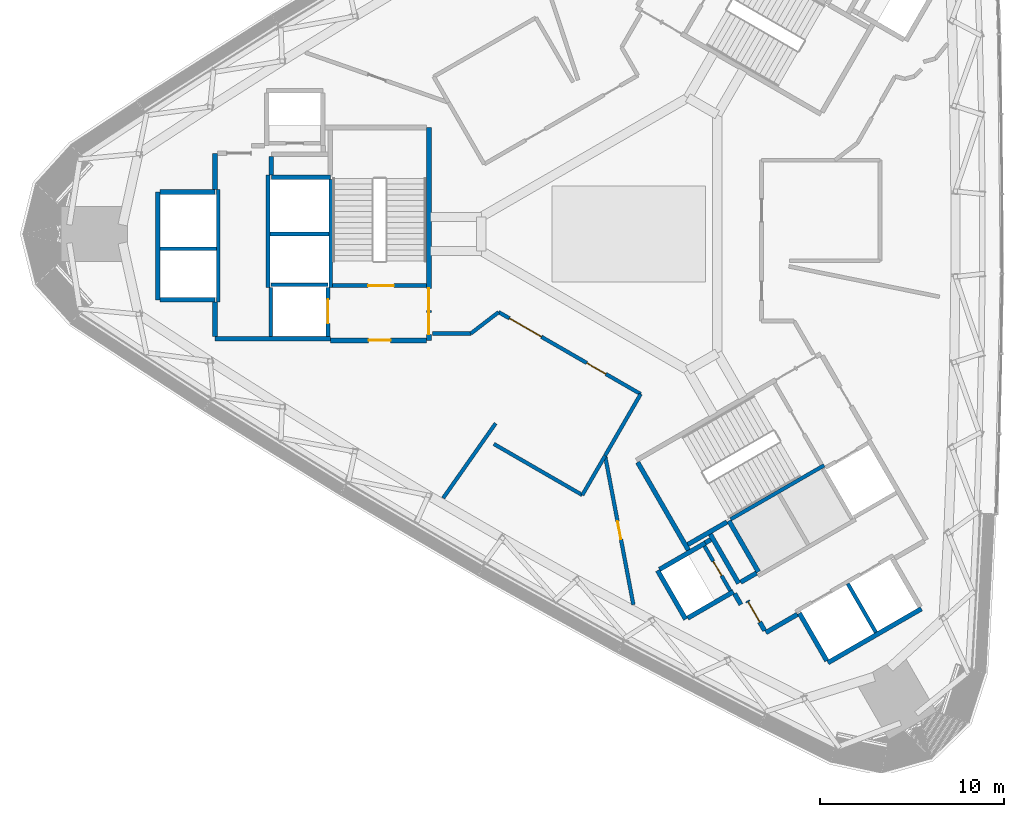
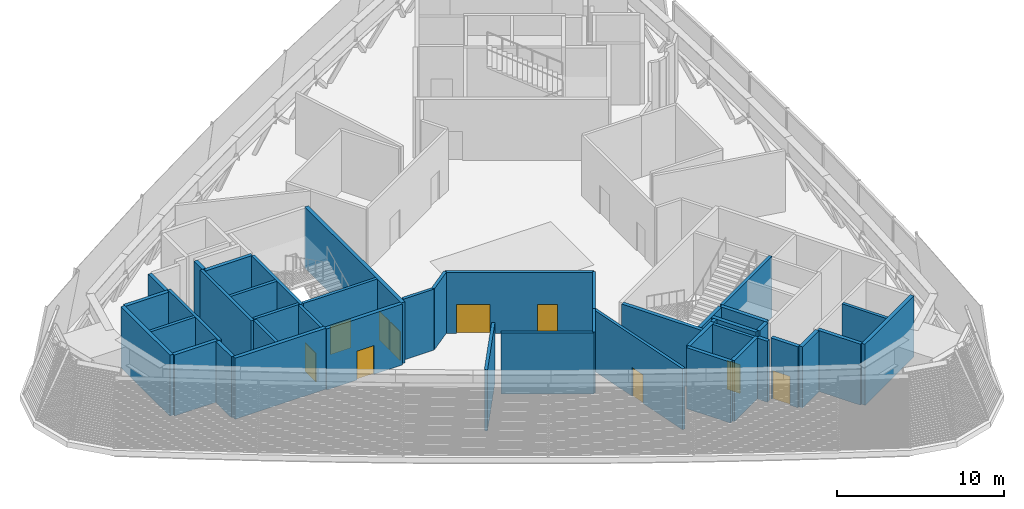
# One storey, part 10 of 18: 44 walls, 10 doors, 10 openings.
"""IFC4 building model written with IfcOpenShell, lengths in metres."""

from ifc_helpers import new_model, si_unit, direction, frame, frame_2d, origin, place, context, subcontext, project, spatial, rectangle, extrude, material, layer, layer_set, type_object, element, fill, save


model = new_model("IFC4")

# Units and contexts
model_context = context("Model", 3, precision=1e-05, world=origin(), true_north=direction((0.0, 1.0)))
body_context = subcontext(model_context, "Body", "Model", "MODEL_VIEW")
ifc_project = project(units=[si_unit("LENGTHUNIT", "METRE"), si_unit("AREAUNIT", "SQUARE_METRE"), si_unit("VOLUMEUNIT", "CUBIC_METRE"), si_unit("PLANEANGLEUNIT", "RADIAN"), si_unit("MASSUNIT", "GRAM", prefix="KILO")], contexts=[model_context])

# Site, building, storey
site_placement = place(None, origin())
site = spatial("IfcSite", under=ifc_project, at=site_placement, CompositionType="ELEMENT")
building_placement = place(site_placement, origin())
building = spatial("IfcBuilding", under=site, at=building_placement, Name="Tamra Quay Hotel Tower", CompositionType="ELEMENT")
storey_placement = place(building_placement, frame((0.0, 0.0, 164.800048828125)))
storey = spatial("IfcBuildingStorey", under=building, at=storey_placement, Name="L41", CompositionType="ELEMENT", Elevation=164.800048828125)

# Walls
ifc_material_1 = material(Name="Concrete M70", Category="concrete")
ifc_layer_1 = layer(ifc_material_1, 0.199951171875)
ifc_layer_set_1 = layer_set([ifc_layer_1], Name="Concrete M70 core wall 200")
wall_type_1 = type_object("IfcWallType", Name="Concrete M70 core wall 200", PredefinedType="SHEAR", material=ifc_layer_set_1)
wall_1_placement = place(storey_placement, frame((-16.162109375, 2.95068359375, 0.0), z_axis=(0.0, 0.0, 1.0), x_axis=(0.0, -1.0, 0.0)))
element("IfcWall", 1, at=wall_1_placement, inside=storey, type_object=wall_type_1, Name="CW2", PredefinedType="SHEAR", context=body_context, shape_type="SweptSolid", body=[
    extrude(rectangle(XDim=5.850830078125, YDim=0.199951171875, at=frame_2d((2.92529296875, 0.0))), origin(), (0.0, 0.0, 1.0), 4.449951171875),
])
for number, where, z_axis, x_axis, name in (
    (2, (-19.5625, -2.900146484375, 0.0), (0.0, 0.0, 1.0), (0.0, 1.0, 0.0), "CW2"),
    (3, (-22.26220703125, 2.400146484375, 0.0), (0.0, 0.0, 1.0), (0.0, -1.0, 0.0), "CW2"),
):
    element("IfcWall", number, at=place(storey_placement, frame(where, z_axis=z_axis, x_axis=x_axis)), inside=storey, type_object=wall_type_1, Name=name, PredefinedType="SHEAR", context=body_context, shape_type="SweptSolid", body=[
        extrude(rectangle(XDim=6.100341796875, YDim=0.199951171875, at=frame_2d((3.05029296875, 0.0))), origin(), (0.0, 0.0, 1.0), 4.449951171875),
    ])

# Wall, opening, door
wall_2_placement = place(storey_placement, frame((-10.96337890625, -2.800048828125, 0.0), z_axis=(0.0, 0.0, 1.0), x_axis=(-1.0, 0.0, 0.0)))
wall_2 = element("IfcWall", 4, at=wall_2_placement, inside=storey, type_object=wall_type_1, Name="CW2", PredefinedType="SHEAR", context=body_context, shape_type="SweptSolid", body=[
    extrude(rectangle(XDim=5.097900390625, YDim=0.199951171875, at=frame_2d((2.548828125, 0.0))), origin(), (0.0, 0.0, 1.0), 4.449951171875),
])
opening_1_placement = place(wall_2_placement, frame((1.77392578125, 0.0, 0.0)))
opening_1 = element("IfcOpeningElement", 5, at=opening_1_placement, cuts=wall_2, Name="Opening FD2", PredefinedType="OPENING", context=body_context, shape_type="SweptSolid", body=[
    extrude(rectangle(XDim=1.39990234375, YDim=2.10009765625, at=frame_2d((0.699951171875, 1.050048828125))), frame((0.0, 0.10986328125, 0.0), z_axis=(0.0, -1.0, 0.0), x_axis=(1.0, 0.0, 0.0)), (0.0, 0.0, 1.0), 0.219970703125),
])
ifc_material_2 = material(Name="Core door FD2 1400x2100 RH")
door_type_1 = type_object("IfcDoorType", Name="Core door FD2 1400x2100 RH", OperationType="NOTDEFINED", PredefinedType="DOOR", material=ifc_material_2)
door_1_placement = place(opening_1_placement, origin())
door_1 = element("IfcDoor", 6, at=door_1_placement, inside=storey, type_object=door_type_1, Name="FD2", OperationType="SINGLE_SWING_RIGHT", OverallHeight=2.10009765625, OverallWidth=1.39990234375, PredefinedType="DOOR", context=body_context, shape_type="SweptSolid", body=[
    extrude(rectangle(XDim=1.39990234375, YDim=2.10009765625, at=frame_2d((0.699951171875, 1.050048828125))), frame((0.0, 0.02490234375, 0.0), z_axis=(0.0, -1.0, 0.0), x_axis=(1.0, 0.0, 0.0)), (0.0, 0.0, 1.0), 0.050048828125),
])
fill(opening_1, door_1)

# Walls
wall_3_placement = place(storey_placement, frame((-16.26318359375, 0.0, 0.0), z_axis=(0.0, 0.0, 1.0), x_axis=(-1.0, 0.0, 0.0)))
element("IfcWall", 7, at=wall_3_placement, inside=storey, type_object=wall_type_1, Name="CW2", PredefinedType="SHEAR", context=body_context, shape_type="SweptSolid", body=[
    extrude(rectangle(XDim=3.1982421875, YDim=0.199951171875, at=frame_2d((1.59912109375, 0.0))), origin(), (0.0, 0.0, 1.0), 4.449951171875),
])
wall_4_placement = place(storey_placement, frame((-22.36328125, -0.800048828125, 0.0), z_axis=(0.0, 0.0, 1.0), x_axis=(-1.0, 0.0, 0.0)))
element("IfcWall", 8, at=wall_4_placement, inside=storey, type_object=wall_type_1, Name="CW2", PredefinedType="SHEAR", context=body_context, shape_type="SweptSolid", body=[
    extrude(rectangle(XDim=3.048095703125, YDim=0.199951171875, at=frame_2d((1.52392578125, 0.0))), origin(), (0.0, 0.0, 1.0), 4.449951171875),
])
wall_5_placement = place(storey_placement, frame((-19.412353515625, -2.75, 0.0), z_axis=(0.0, 0.0, 1.0), x_axis=(1.0, 0.0, 0.0)))
element("IfcWall", 9, at=wall_5_placement, inside=storey, type_object=wall_type_1, Name="CW2", PredefinedType="SHEAR", context=body_context, shape_type="SweptSolid", body=[
    extrude(rectangle(XDim=3.10009765625, YDim=0.199951171875, at=frame_2d((1.550048828125, 0.0))), origin(), (0.0, 0.0, 1.0), 4.449951171875),
])

# Wall, opening, door
wall_6_placement = place(storey_placement, frame((-16.312255859375, -2.898193359375, 0.0), z_axis=(0.0, 0.0, 1.0), x_axis=(0.0, -1.0, 0.0)))
wall_6 = element("IfcWall", 10, at=wall_6_placement, inside=storey, type_object=wall_type_1, Name="CW2", PredefinedType="SHEAR", context=body_context, shape_type="SweptSolid", body=[
    extrude(rectangle(XDim=2.65087890625, YDim=0.199951171875, at=frame_2d((1.325439453125, 0.0))), origin(), (0.0, 0.0, 1.0), 4.449951171875),
])
opening_2_placement = place(wall_6_placement, frame((0.65185546875, 0.0, 0.0)))
opening_2 = element("IfcOpeningElement", 11, at=opening_2_placement, cuts=wall_6, Name="Opening LD", PredefinedType="OPENING", context=body_context, shape_type="SweptSolid", body=[
    extrude(rectangle(XDim=1.300048828125, YDim=2.10009765625, at=frame_2d((0.64990234375, 1.050048828125))), frame((0.0, 0.10986328125, 0.0), z_axis=(0.0, -1.0, 0.0), x_axis=(1.0, 0.0, 0.0)), (0.0, 0.0, 1.0), 0.219970703125),
])
ifc_material_3 = material(Name="Landing door LD 1300 sliding to right")
door_type_2 = type_object("IfcDoorType", Name="Landing door LD 1300 sliding to right", OperationType="NOTDEFINED", PredefinedType="DOOR", material=ifc_material_3)
door_2_placement = place(opening_2_placement, origin())
door_2 = element("IfcDoor", 12, at=door_2_placement, inside=storey, type_object=door_type_2, Name="LD", OperationType="SLIDING_TO_RIGHT", OverallHeight=2.10009765625, OverallWidth=1.300048828125, PredefinedType="DOOR", context=body_context, shape_type="SweptSolid", body=[
    extrude(rectangle(XDim=1.300048828125, YDim=2.10009765625, at=frame_2d((0.64990234375, 1.050048828125))), frame((0.0, 0.02490234375, 0.0), z_axis=(0.0, -1.0, 0.0), x_axis=(1.0, 0.0, 0.0)), (0.0, 0.0, 1.0), 0.050048828125),
])
fill(opening_2, door_2)

# Walls
wall_7_placement = place(storey_placement, frame((-19.412353515625, -5.549072265625, 0.0), z_axis=(0.0, 0.0, 1.0), x_axis=(0.0, 1.0, 0.0)))
element("IfcWall", 13, at=wall_7_placement, inside=storey, type_object=wall_type_1, Name="CW2", PredefinedType="SHEAR", context=body_context, shape_type="SweptSolid", body=[
    extrude(rectangle(XDim=2.65087890625, YDim=0.199951171875, at=frame_2d((1.325439453125, 0.0))), origin(), (0.0, 0.0, 1.0), 4.449951171875),
])
wall_8_placement = place(storey_placement, frame((5.525634765625, -15.47216796875, 0.0), z_axis=(0.0, 0.0, 1.0), x_axis=(0.866041752167, 0.499971682701, 0.0)))
element("IfcWall", 14, at=wall_8_placement, inside=storey, type_object=wall_type_1, Name="CW2", PredefinedType="SHEAR", context=body_context, shape_type="SweptSolid", body=[
    extrude(rectangle(XDim=5.850830078125, YDim=0.199951171875, at=frame_2d((2.92529296875, 0.0))), origin(), (0.0, 0.0, 1.0), 4.449951171875),
])
wall_9_placement = place(storey_placement, frame((11.87451171875, -18.967041015625, 0.0), z_axis=(0.0, 0.0, 1.0), x_axis=(0.49998131003, -0.866036194175, 0.0)))
element("IfcWall", 15, at=wall_9_placement, inside=storey, type_object=wall_type_1, Name="CW2", PredefinedType="SHEAR", context=body_context, shape_type="SweptSolid", body=[
    extrude(rectangle(XDim=3.0478515625, YDim=0.199951171875, at=frame_2d((1.52392578125, 0.0))), origin(), (0.0, 0.0, 1.0), 4.449951171875),
])

# Wall, opening, door
wall_10_placement = place(storey_placement, frame((5.50341796875, -19.352294921875, 0.0), z_axis=(0.0, 0.0, 1.0), x_axis=(-0.499986818241, 0.866033014143, 0.0)))
wall_10 = element("IfcWall", 16, at=wall_10_placement, inside=storey, type_object=wall_type_1, Name="CW2", PredefinedType="SHEAR", context=body_context, shape_type="SweptSolid", body=[
    extrude(rectangle(XDim=2.7978515625, YDim=0.199951171875, at=frame_2d((1.39892578125, 0.0))), origin(), (0.0, 0.0, 1.0), 4.449951171875),
])
opening_3_placement = place(wall_10_placement, frame((0.948974609375, 0.0, 0.0)))
opening_3 = element("IfcOpeningElement", 17, at=opening_3_placement, cuts=wall_10, Name="Opening D1", PredefinedType="OPENING", context=body_context, shape_type="SweptSolid", body=[
    extrude(rectangle(XDim=0.89990234375, YDim=2.10009765625, at=frame_2d((0.449951171875, 1.050048828125))), frame((0.0, 0.10986328125, 0.0), z_axis=(0.0, -1.0, 0.0), x_axis=(1.0, 0.0, 0.0)), (0.0, 0.0, 1.0), 0.219970703125),
])
ifc_material_4 = material(Name="Core door D1 900x2100 RH")
door_type_3 = type_object("IfcDoorType", Name="Core door D1 900x2100 RH", OperationType="NOTDEFINED", PredefinedType="DOOR", material=ifc_material_4)
door_3_placement = place(opening_3_placement, origin())
door_3 = element("IfcDoor", 18, at=door_3_placement, inside=storey, type_object=door_type_3, Name="D1", OperationType="SINGLE_SWING_RIGHT", OverallHeight=2.10009765625, OverallWidth=0.89990234375, PredefinedType="DOOR", context=body_context, shape_type="SweptSolid", body=[
    extrude(rectangle(XDim=0.89990234375, YDim=2.10009765625, at=frame_2d((0.449951171875, 1.050048828125))), frame((0.0, 0.02490234375, 0.0), z_axis=(0.0, -1.0, 0.0), x_axis=(1.0, 0.0, 0.0)), (0.0, 0.0, 1.0), 0.050048828125),
])
fill(opening_3, door_3)

# Wall, openings, doors
ifc_layer_2 = layer(ifc_material_1, 0.25)
ifc_layer_set_2 = layer_set([ifc_layer_2], Name="Concrete M70 core wall 250")
wall_type_2 = type_object("IfcWallType", Name="Concrete M70 core wall 250", PredefinedType="SHEAR", material=ifc_layer_set_2)
wall_11_placement = place(storey_placement, frame((-10.83740234375, 5.77490234375, 0.0), z_axis=(0.0, 0.0, 1.0), x_axis=(0.0, -1.0, 0.0)))
wall_11 = element("IfcWall", 19, at=wall_11_placement, inside=storey, type_object=wall_type_2, Name="CW1", PredefinedType="SHEAR", context=body_context, shape_type="SweptSolid", body=[
    extrude(rectangle(XDim=11.5498046875, YDim=0.25, at=frame_2d((5.77490234375, 0.0))), origin(), (0.0, 0.0, 1.0), 4.449951171875),
])
opening_4_placement = place(wall_11_placement, frame((10.02490234375, 0.0, 0.0)))
opening_4 = element("IfcOpeningElement", 20, at=opening_4_placement, cuts=wall_11, Name="Opening FD1", PredefinedType="OPENING", context=body_context, shape_type="SweptSolid", body=[
    extrude(rectangle(XDim=1.199951171875, YDim=2.10009765625, at=frame_2d((0.60009765625, 1.050048828125))), frame((0.0, 0.135009765625, 0.0), z_axis=(0.0, -1.0, 0.0), x_axis=(1.0, 0.0, 0.0)), (0.0, 0.0, 1.0), 0.27001953125),
])
opening_5_placement = place(wall_11_placement, frame((8.72509765625, 0.0, 0.0)))
opening_5 = element("IfcOpeningElement", 21, at=opening_5_placement, cuts=wall_11, Name="Opening FD1", PredefinedType="OPENING", context=body_context, shape_type="SweptSolid", body=[
    extrude(rectangle(XDim=1.199951171875, YDim=2.10009765625, at=frame_2d((0.60009765625, 1.050048828125))), frame((0.0, 0.135009765625, 0.0), z_axis=(0.0, -1.0, 0.0), x_axis=(1.0, 0.0, 0.0)), (0.0, 0.0, 1.0), 0.27001953125),
])
ifc_material_5 = material(Name="Core door FD1 1200x2100 LH")
door_type_4 = type_object("IfcDoorType", Name="Core door FD1 1200x2100 LH", OperationType="NOTDEFINED", PredefinedType="DOOR", material=ifc_material_5)
door_4_placement = place(opening_4_placement, origin())
door_4 = element("IfcDoor", 22, at=door_4_placement, inside=storey, type_object=door_type_4, Name="FD1", OperationType="SINGLE_SWING_LEFT", OverallHeight=2.10009765625, OverallWidth=1.199951171875, PredefinedType="DOOR", context=body_context, shape_type="SweptSolid", body=[
    extrude(rectangle(XDim=1.199951171875, YDim=2.10009765625, at=frame_2d((0.60009765625, 1.050048828125))), frame((0.0, 0.02490234375, 0.0), z_axis=(0.0, -1.0, 0.0), x_axis=(1.0, 0.0, 0.0)), (0.0, 0.0, 1.0), 0.050048828125),
])
fill(opening_4, door_4)
ifc_material_6 = material(Name="Core door FD1 1200x2100 RH")
door_type_5 = type_object("IfcDoorType", Name="Core door FD1 1200x2100 RH", OperationType="NOTDEFINED", PredefinedType="DOOR", material=ifc_material_6)
door_5_placement = place(opening_5_placement, origin())
door_5 = element("IfcDoor", 23, at=door_5_placement, inside=storey, type_object=door_type_5, Name="FD1", OperationType="SINGLE_SWING_RIGHT", OverallHeight=2.10009765625, OverallWidth=1.199951171875, PredefinedType="DOOR", context=body_context, shape_type="SweptSolid", body=[
    extrude(rectangle(XDim=1.199951171875, YDim=2.10009765625, at=frame_2d((0.60009765625, 1.050048828125))), frame((0.0, 0.02490234375, 0.0), z_axis=(0.0, -1.0, 0.0), x_axis=(1.0, 0.0, 0.0)), (0.0, 0.0, 1.0), 0.050048828125),
])
fill(opening_5, door_5)

# Walls
wall_12_placement = place(storey_placement, frame((-16.187255859375, -5.675048828125, 0.0), z_axis=(0.0, 0.0, 1.0), x_axis=(-1.0, 0.0, 0.0)))
element("IfcWall", 24, at=wall_12_placement, inside=storey, type_object=wall_type_2, Name="CW1", PredefinedType="SHEAR", context=body_context, shape_type="SweptSolid", body=[
    extrude(rectangle(XDim=6.25, YDim=0.25, at=frame_2d((3.125, 0.0))), origin(), (0.0, 0.0, 1.0), 4.449951171875),
])
wall_13_placement = place(storey_placement, frame((-25.537353515625, -3.574951171875, 0.0), z_axis=(0.0, 0.0, 1.0), x_axis=(0.0, 1.0, 0.0)))
element("IfcWall", 25, at=wall_13_placement, inside=storey, type_object=wall_type_2, Name="CW1", PredefinedType="SHEAR", context=body_context, shape_type="SweptSolid", body=[
    extrude(rectangle(XDim=5.849853515625, YDim=0.25, at=frame_2d((2.9248046875, 0.0))), origin(), (0.0, 0.0, 1.0), 4.449951171875),
])

# Wall, opening, door
wall_14_placement = place(storey_placement, frame((-10.962646484375, -5.77490234375, 0.0), z_axis=(0.0, 0.0, 1.0), x_axis=(-1.0, 0.0, 0.0)))
wall_14 = element("IfcWall", 26, at=wall_14_placement, inside=storey, type_object=wall_type_2, Name="CW1", PredefinedType="SHEAR", context=body_context, shape_type="SweptSolid", body=[
    extrude(rectangle(XDim=5.224609375, YDim=0.25, at=frame_2d((2.6123046875, 0.0))), origin(), (0.0, 0.0, 1.0), 4.449951171875),
])
opening_6_placement = place(wall_14_placement, frame((1.94970703125, 0.0, 0.0)))
opening_6 = element("IfcOpeningElement", 27, at=opening_6_placement, cuts=wall_14, Name="Opening D2", PredefinedType="OPENING", context=body_context, shape_type="SweptSolid", body=[
    extrude(rectangle(XDim=1.199951171875, YDim=2.10009765625, at=frame_2d((0.60009765625, 1.050048828125))), frame((0.0, 0.135009765625, 0.0), z_axis=(0.0, -1.0, 0.0), x_axis=(1.0, 0.0, 0.0)), (0.0, 0.0, 1.0), 0.27001953125),
])
ifc_material_7 = material(Name="Core door D2 1200x2100 LH")
door_type_6 = type_object("IfcDoorType", Name="Core door D2 1200x2100 LH", OperationType="NOTDEFINED", PredefinedType="DOOR", material=ifc_material_7)
door_6_placement = place(opening_6_placement, origin())
door_6 = element("IfcDoor", 28, at=door_6_placement, inside=storey, type_object=door_type_6, Name="D2", OperationType="SINGLE_SWING_LEFT", OverallHeight=2.10009765625, OverallWidth=1.199951171875, PredefinedType="DOOR", context=body_context, shape_type="SweptSolid", body=[
    extrude(rectangle(XDim=1.199951171875, YDim=2.10009765625, at=frame_2d((0.60009765625, 1.050048828125))), frame((0.0, 0.02490234375, 0.0), z_axis=(0.0, -1.0, 0.0), x_axis=(1.0, 0.0, 0.0)), (0.0, 0.0, 1.0), 0.050048828125),
])
fill(opening_6, door_6)

# Walls
wall_15_placement = place(storey_placement, frame((-19.38720703125, 3.074951171875, 0.0), z_axis=(0.0, 0.0, 1.0), x_axis=(1.0, 0.0, 0.0)))
element("IfcWall", 29, at=wall_15_placement, inside=storey, type_object=wall_type_2, Name="CW1", PredefinedType="SHEAR", context=body_context, shape_type="SweptSolid", body=[
    extrude(rectangle(XDim=3.199951171875, YDim=0.25, at=frame_2d((1.60009765625, 0.0))), origin(), (0.0, 0.0, 1.0), 4.449951171875),
])
for number, where, z_axis, x_axis, name in (
    (30, (-22.437255859375, -3.574951171875, 0.0), (0.0, 0.0, 1.0), (-1.0, 0.0, 0.0), "CW1"),
    (31, (-25.411865234375, 2.27490234375, 0.0), (0.0, 0.0, 1.0), (1.0, 0.0, 0.0), "CW1"),
):
    element("IfcWall", number, at=place(storey_placement, frame(where, z_axis=z_axis, x_axis=x_axis)), inside=storey, type_object=wall_type_2, Name=name, PredefinedType="SHEAR", context=body_context, shape_type="SweptSolid", body=[
        extrude(rectangle(XDim=2.974609375, YDim=0.25, at=frame_2d((1.4873046875, 0.0))), origin(), (0.0, 0.0, 1.0), 4.449951171875),
    ])
wall_16_placement = place(storey_placement, frame((-22.437255859375, 2.400390625, 0.0), z_axis=(0.0, 0.0, 1.0), x_axis=(0.0, 1.0, 0.0)))
element("IfcWall", 32, at=wall_16_placement, inside=storey, type_object=wall_type_2, Name="CW1", PredefinedType="SHEAR", context=body_context, shape_type="SweptSolid", body=[
    extrude(rectangle(XDim=1.974609375, YDim=0.25, at=frame_2d((0.9873046875, 0.0))), origin(), (0.0, 0.0, 1.0), 4.449951171875),
])
wall_17_placement = place(storey_placement, frame((-22.437255859375, -5.549560546875, 0.0), z_axis=(0.0, 0.0, 1.0), x_axis=(0.0, 1.0, 0.0)))
element("IfcWall", 33, at=wall_17_placement, inside=storey, type_object=wall_type_2, Name="CW1", PredefinedType="SHEAR", context=body_context, shape_type="SweptSolid", body=[
    extrude(rectangle(XDim=1.84912109375, YDim=0.25, at=frame_2d((0.924560546875, 0.0))), origin(), (0.0, 0.0, 1.0), 4.449951171875),
])
wall_18_placement = place(storey_placement, frame((-19.38720703125, 4.189697265625, 0.0), z_axis=(0.0, 0.0, 1.0), x_axis=(0.0, -1.0, 0.0)))
element("IfcWall", 34, at=wall_18_placement, inside=storey, type_object=wall_type_2, Name="CW1", PredefinedType="SHEAR", context=body_context, shape_type="SweptSolid", body=[
    extrude(rectangle(XDim=0.9892578125, YDim=0.25, at=frame_2d((0.49462890625, 0.0))), origin(), (0.0, 0.0, 1.0), 4.449951171875),
])
wall_19_placement = place(storey_placement, frame((15.86474609375, -20.328369140625, 0.0), z_axis=(0.0, 0.0, 1.0), x_axis=(-0.86602852612, -0.499994591916, 0.0)))
element("IfcWall", 35, at=wall_19_placement, inside=storey, type_object=wall_type_2, Name="CW1", PredefinedType="SHEAR", context=body_context, shape_type="SweptSolid", body=[
    extrude(rectangle(XDim=5.85009765625, YDim=0.25, at=frame_2d((2.925048828125, 0.0))), origin(), (0.0, 0.0, 1.0), 4.449951171875),
])
wall_20_placement = place(storey_placement, frame((3.23486328125, -17.15283203125, 0.0), z_axis=(0.0, 0.0, 1.0), x_axis=(-0.500008851346, 0.866020293397, 0.0)))
element("IfcWall", 36, at=wall_20_placement, inside=storey, type_object=wall_type_2, Name="CW1", PredefinedType="SHEAR", context=body_context, shape_type="SweptSolid", body=[
    extrude(rectangle(XDim=5.509765625, YDim=0.25, at=frame_2d((2.7548828125, 0.0))), origin(), (0.0, 0.0, 1.0), 4.449951171875),
])
wall_21_placement = place(storey_placement, frame((7.030517578125, -18.327392578125, 0.0), z_axis=(0.0, 0.0, 1.0), x_axis=(-0.499971222258, 0.866042017984, 0.0)))
element("IfcWall", 37, at=wall_21_placement, inside=storey, type_object=wall_type_2, Name="CW1", PredefinedType="SHEAR", context=body_context, shape_type="SweptSolid", body=[
    extrude(rectangle(XDim=3.199951171875, YDim=0.25, at=frame_2d((1.60009765625, 0.0))), origin(), (0.0, 0.0, 1.0), 4.449951171875),
])
wall_22_placement = place(storey_placement, frame((10.73583984375, -23.144775390625, 0.0), z_axis=(0.0, 0.0, 1.0), x_axis=(-0.500023226632, 0.866011993467, 0.0)))
element("IfcWall", 38, at=wall_22_placement, inside=storey, type_object=wall_type_2, Name="CW1", PredefinedType="SHEAR", context=body_context, shape_type="SweptSolid", body=[
    extrude(rectangle(XDim=2.974365234375, YDim=0.25, at=frame_2d((1.4873046875, 0.0))), origin(), (0.0, 0.0, 1.0), 4.449951171875),
])
wall_23_placement = place(storey_placement, frame((3.085205078125, -20.893798828125, 0.0), z_axis=(0.0, 0.0, 1.0), x_axis=(-0.499978833458, 0.866037623948, 0.0)))
element("IfcWall", 39, at=wall_23_placement, inside=storey, type_object=wall_type_2, Name="CW1", PredefinedType="SHEAR", context=body_context, shape_type="SweptSolid", body=[
    extrude(rectangle(XDim=3.050048828125, YDim=0.25, at=frame_2d((1.52490234375, 0.0))), origin(), (0.0, 0.0, 1.0), 4.449951171875),
])
wall_24_placement = place(storey_placement, frame((1.6689453125, -18.189697265625, 0.0), z_axis=(0.0, 0.0, 1.0), x_axis=(0.866042235819, 0.499970844928, 0.0)))
element("IfcWall", 40, at=wall_24_placement, inside=storey, type_object=wall_type_2, Name="CW1", PredefinedType="SHEAR", context=body_context, shape_type="SweptSolid", body=[
    extrude(rectangle(XDim=2.864501953125, YDim=0.25, at=frame_2d((1.43212890625, 0.0))), origin(), (0.0, 0.0, 1.0), 4.449951171875),
])
wall_25_placement = place(storey_placement, frame((5.6748046875, -19.39892578125, 0.0), z_axis=(0.0, 0.0, 1.0), x_axis=(-0.866026637627, -0.499997862916, 0.0)))
element("IfcWall", 41, at=wall_25_placement, inside=storey, type_object=wall_type_2, Name="CW1", PredefinedType="SHEAR", context=body_context, shape_type="SweptSolid", body=[
    extrude(rectangle(XDim=2.86474609375, YDim=0.25, at=frame_2d((1.432373046875, 0.0))), origin(), (0.0, 0.0, 1.0), 4.449951171875),
])
wall_26_placement = place(storey_placement, frame((4.414306640625, -16.275634765625, 0.0), z_axis=(0.0, 0.0, 1.0), x_axis=(0.500003324108, -0.866023484601, 0.0)))
element("IfcWall", 42, at=wall_26_placement, inside=storey, type_object=wall_type_2, Name="CW1", PredefinedType="SHEAR", context=body_context, shape_type="SweptSolid", body=[
    extrude(rectangle(XDim=3.0849609375, YDim=0.25, at=frame_2d((1.54248046875, 0.0))), origin(), (0.0, 0.0, 1.0), 4.449951171875),
])
wall_27_placement = place(storey_placement, frame((5.322021484375, -15.618896484375, 0.0), z_axis=(0.0, 0.0, 1.0), x_axis=(-0.866026229868, -0.499998569178, 0.0)))
element("IfcWall", 43, at=wall_27_placement, inside=storey, type_object=wall_type_2, Name="CW1", PredefinedType="SHEAR", context=body_context, shape_type="SweptSolid", body=[
    extrude(rectangle(XDim=2.44921875, YDim=0.25, at=frame_2d((1.224609375, 0.0))), origin(), (0.0, 0.0, 1.0), 4.449951171875),
])
wall_28_placement = place(storey_placement, frame((9.139892578125, -20.63134765625, 0.0), z_axis=(0.0, 0.0, 1.0), x_axis=(-0.866043531843, -0.499968599967, 0.0)))
element("IfcWall", 44, at=wall_28_placement, inside=storey, type_object=wall_type_2, Name="CW1", PredefinedType="SHEAR", context=body_context, shape_type="SweptSolid", body=[
    extrude(rectangle(XDim=1.974853515625, YDim=0.25, at=frame_2d((0.9873046875, 0.0))), origin(), (0.0, 0.0, 1.0), 4.449951171875),
])

# Wall, opening, door
wall_29_placement = place(storey_placement, frame((7.3671875, -21.51025390625, 0.0), z_axis=(0.0, 0.0, 1.0), x_axis=(-0.499983108224, 0.866035156036, 0.0)))
wall_29 = element("IfcWall", 45, at=wall_29_placement, inside=storey, type_object=wall_type_2, Name="CW1", PredefinedType="SHEAR", context=body_context, shape_type="SweptSolid", body=[
    extrude(rectangle(XDim=1.86474609375, YDim=0.25, at=frame_2d((0.932373046875, 0.0))), origin(), (0.0, 0.0, 1.0), 4.449951171875),
])
opening_7_placement = place(wall_29_placement, frame((0.53466796875, 0.0, 0.0)))
opening_7 = element("IfcOpeningElement", 46, at=opening_7_placement, cuts=wall_29, Name="Opening FD3", PredefinedType="OPENING", context=body_context, shape_type="SweptSolid", body=[
    extrude(rectangle(XDim=1.25, YDim=2.10009765625, at=frame_2d((0.625, 1.050048828125))), frame((0.0, 0.135009765625, 0.0), z_axis=(0.0, -1.0, 0.0), x_axis=(1.0, 0.0, 0.0)), (0.0, 0.0, 1.0), 0.27001953125),
])
ifc_material_8 = material(Name="Core door FD3 1250x2100 LH")
door_type_7 = type_object("IfcDoorType", Name="Core door FD3 1250x2100 LH", OperationType="NOTDEFINED", PredefinedType="DOOR", material=ifc_material_8)
door_7_placement = place(opening_7_placement, origin())
door_7 = element("IfcDoor", 47, at=door_7_placement, inside=storey, type_object=door_type_7, Name="FD3", OperationType="SINGLE_SWING_LEFT", OverallHeight=2.10009765625, OverallWidth=1.25, PredefinedType="DOOR", context=body_context, shape_type="SweptSolid", body=[
    extrude(rectangle(XDim=1.25, YDim=2.10009765625, at=frame_2d((0.625, 1.050048828125))), frame((0.0, 0.02490234375, 0.0), z_axis=(0.0, -1.0, 0.0), x_axis=(1.0, 0.0, 0.0)), (0.0, 0.0, 1.0), 0.050048828125),
])
fill(opening_7, door_7)

# Walls
wall_30_placement = place(storey_placement, frame((6.0654296875, -18.884765625, 0.0), z_axis=(0.0, 0.0, 1.0), x_axis=(0.866017078145, 0.500014420154, 0.0)))
element("IfcWall", 48, at=wall_30_placement, inside=storey, type_object=wall_type_2, Name="CW1", PredefinedType="SHEAR", context=body_context, shape_type="SweptSolid", body=[
    extrude(rectangle(XDim=0.9892578125, YDim=0.25, at=frame_2d((0.49462890625, 0.0))), origin(), (0.0, 0.0, 1.0), 4.449951171875),
])
wall_31_placement = place(storey_placement, frame((6.07958984375, -20.100341796875, 0.0), z_axis=(0.0, 0.0, 1.0), x_axis=(-0.500051773299, 0.865995510393, 0.0)))
element("IfcWall", 49, at=wall_31_placement, inside=storey, type_object=wall_type_2, Name="CW1", PredefinedType="SHEAR", context=body_context, shape_type="SweptSolid", body=[
    extrude(rectangle(XDim=0.6845703125, YDim=0.25, at=frame_2d((0.34228515625, 0.0))), origin(), (0.0, 0.0, 1.0), 4.449951171875),
])
wall_32_placement = place(storey_placement, frame((4.144775390625, -16.748779296875, 0.0), z_axis=(0.0, 0.0, 1.0), x_axis=(0.866185586049, 0.49972245349, 0.0)))
element("IfcWall", 50, at=wall_32_placement, inside=storey, type_object=wall_type_2, Name="CW1", PredefinedType="SHEAR", context=body_context, shape_type="SweptSolid", body=[
    extrude(rectangle(XDim=0.344482421875, YDim=0.25, at=frame_2d((0.17236328125, 0.0))), origin(), (0.0, 0.0, 1.0), 4.449951171875),
])
ifc_material_9 = material(Name="Partition corridor wall")
ifc_layer_3 = layer(ifc_material_9, 0.199951171875)
ifc_layer_set_3 = layer_set([ifc_layer_3], Name="Partition corridor wall")
wall_type_3 = type_object("IfcWallType", Name="Partition corridor wall", PredefinedType="PARTITIONING", material=ifc_layer_set_3)
wall_33_placement = place(storey_placement, frame((-10.65234375, -5.39990234375, 0.0), z_axis=(0.0, 0.0, 1.0), x_axis=(1.0, 0.0, 0.0)))
element("IfcWall", 51, at=wall_33_placement, inside=storey, type_object=wall_type_3, Name="W-C", PredefinedType="PARTITIONING", context=body_context, shape_type="SweptSolid", body=[
    extrude(rectangle(XDim=2.083251953125, YDim=0.199951171875, at=frame_2d((1.04150390625, 0.0))), origin(), (0.0, 0.0, 1.0), 4.449951171875),
])
wall_34_placement = place(storey_placement, frame((-8.569091796875, -5.39990234375, 0.0), z_axis=(0.0, 0.0, 1.0), x_axis=(0.792981085858, 0.609246253555, 0.0)))
element("IfcWall", 52, at=wall_34_placement, inside=storey, type_object=wall_type_3, Name="W-C", PredefinedType="PARTITIONING", context=body_context, shape_type="SweptSolid", body=[
    extrude(rectangle(XDim=1.905517578125, YDim=0.199951171875, at=frame_2d((0.95263671875, 0.0))), origin(), (0.0, 0.0, 1.0), 4.449951171875),
])

# Wall, openings, doors
wall_35_placement = place(storey_placement, frame((-7.05810546875, -4.239013671875, 0.0), z_axis=(0.0, 0.0, 1.0), x_axis=(0.86609917177, -0.499872208329, 0.0)))
wall_35 = element("IfcWall", 53, at=wall_35_placement, inside=storey, type_object=wall_type_3, Name="W-C", PredefinedType="PARTITIONING", context=body_context, shape_type="SweptSolid", body=[
    extrude(rectangle(XDim=8.890869140625, YDim=0.199951171875, at=frame_2d((4.4453125, 0.0))), origin(), (0.0, 0.0, 1.0), 4.449951171875),
])
opening_8_placement = place(wall_35_placement, frame((0.67431640625, 0.0, 0.0)))
opening_8 = element("IfcOpeningElement", 54, at=opening_8_placement, cuts=wall_35, Name="Opening L41-D002", PredefinedType="OPENING", context=body_context, shape_type="SweptSolid", body=[
    extrude(rectangle(XDim=2.0, YDim=2.10009765625, at=frame_2d((1.0, 1.050048828125))), frame((0.0, 0.10986328125, 0.0), z_axis=(0.0, -1.0, 0.0), x_axis=(1.0, 0.0, 0.0)), (0.0, 0.0, 1.0), 0.219970703125),
])
opening_9_placement = place(wall_35_placement, frame((5.52001953125, 0.0, 0.0)))
opening_9 = element("IfcOpeningElement", 55, at=opening_9_placement, cuts=wall_35, Name="Opening L41-D010", PredefinedType="OPENING", context=body_context, shape_type="SweptSolid", body=[
    extrude(rectangle(XDim=1.199951171875, YDim=2.10009765625, at=frame_2d((0.60009765625, 1.050048828125))), frame((0.0, 0.10986328125, 0.0), z_axis=(0.0, -1.0, 0.0), x_axis=(1.0, 0.0, 0.0)), (0.0, 0.0, 1.0), 0.219970703125),
])
ifc_material_10 = material(Name="Door double leaf 2000x2100")
door_type_8 = type_object("IfcDoorType", Name="Door double leaf 2000x2100", OperationType="DOUBLE_DOOR_SINGLE_SWING", PredefinedType="DOOR", material=ifc_material_10)
door_8_placement = place(opening_8_placement, frame((2.0, 0.0, 0.0), z_axis=(0.0, 0.0, 1.0), x_axis=(-1.0, 0.0, 0.0)))
door_8 = element("IfcDoor", 56, at=door_8_placement, inside=storey, type_object=door_type_8, Name="L41-D002", OperationType="DOUBLE_DOOR_SINGLE_SWING", OverallHeight=2.10009765625, OverallWidth=2.0, PredefinedType="DOOR", context=body_context, shape_type="SweptSolid", body=[
    extrude(rectangle(XDim=2.0, YDim=2.10009765625, at=frame_2d((1.0, 1.050048828125))), frame((0.0, 0.02490234375, 0.0), z_axis=(0.0, -1.0, 0.0), x_axis=(1.0, 0.0, 0.0)), (0.0, 0.0, 1.0), 0.050048828125),
])
fill(opening_8, door_8)
ifc_material_11 = material(Name="Door fire rated 1200x2100")
door_type_9 = type_object("IfcDoorType", Name="Door fire rated 1200x2100", OperationType="NOTDEFINED", PredefinedType="DOOR", material=ifc_material_11)
door_9_placement = place(opening_9_placement, frame((1.199951171875, 0.0, 0.0), z_axis=(0.0, 0.0, 1.0), x_axis=(-1.0, 0.0, 0.0)))
door_9 = element("IfcDoor", 57, at=door_9_placement, inside=storey, type_object=door_type_9, Name="L41-D010", OperationType="SINGLE_SWING_LEFT", OverallHeight=2.10009765625, OverallWidth=1.199951171875, PredefinedType="DOOR", context=body_context, shape_type="SweptSolid", body=[
    extrude(rectangle(XDim=1.199951171875, YDim=2.10009765625, at=frame_2d((0.60009765625, 1.050048828125))), frame((0.0, 0.02490234375, 0.0), z_axis=(0.0, -1.0, 0.0), x_axis=(1.0, 0.0, 0.0)), (0.0, 0.0, 1.0), 0.050048828125),
])
fill(opening_9, door_9)

# Wall, opening, door
wall_36_placement = place(storey_placement, frame((-1.285888671875, -12.02294921875, 0.0), z_axis=(0.0, 0.0, 1.0), x_axis=(0.186445263773, -0.98246534983, 0.0)))
wall_36 = element("IfcWall", 58, at=wall_36_placement, inside=storey, type_object=wall_type_3, Name="W-C", PredefinedType="PARTITIONING", context=body_context, shape_type="SweptSolid", body=[
    extrude(rectangle(XDim=8.227294921875, YDim=0.199951171875, at=frame_2d((4.11376953125, 0.0))), origin(), (0.0, 0.0, 1.0), 4.449951171875),
])
opening_10_placement = place(wall_36_placement, frame((3.611083984375, 0.0, 0.0)))
opening_10 = element("IfcOpeningElement", 59, at=opening_10_placement, cuts=wall_36, Name="Opening L41-D007", PredefinedType="OPENING", context=body_context, shape_type="SweptSolid", body=[
    extrude(rectangle(XDim=1.0, YDim=2.10009765625, at=frame_2d((0.5, 1.050048828125))), frame((0.0, 0.10986328125, 0.0), z_axis=(0.0, -1.0, 0.0), x_axis=(1.0, 0.0, 0.0)), (0.0, 0.0, 1.0), 0.219970703125),
])
ifc_material_12 = material(Name="Door service room 1000x2100")
door_type_10 = type_object("IfcDoorType", Name="Door service room 1000x2100", OperationType="NOTDEFINED", PredefinedType="DOOR", material=ifc_material_12)
door_10_placement = place(opening_10_placement, frame((1.0, 0.0, 0.0), z_axis=(0.0, 0.0, 1.0), x_axis=(-1.0, 0.0, 0.0)))
door_10 = element("IfcDoor", 60, at=door_10_placement, inside=storey, type_object=door_type_10, Name="L41-D007", OperationType="SINGLE_SWING_LEFT", OverallHeight=2.10009765625, OverallWidth=1.0, PredefinedType="DOOR", context=body_context, shape_type="SweptSolid", body=[
    extrude(rectangle(XDim=1.0, YDim=2.10009765625, at=frame_2d((0.5, 1.050048828125))), frame((0.0, 0.02490234375, 0.0), z_axis=(0.0, -1.0, 0.0), x_axis=(1.0, 0.0, 0.0)), (0.0, 0.0, 1.0), 0.050048828125),
])
fill(opening_10, door_10)

# Walls
wall_37_placement = place(storey_placement, frame((-1.285888671875, -12.02294921875, 0.0), z_axis=(0.0, 0.0, 1.0), x_axis=(0.50005498091, 0.865993658214, 0.0)))
element("IfcWall", 61, at=wall_37_placement, inside=storey, type_object=wall_type_3, Name="W-C", PredefinedType="PARTITIONING", context=body_context, shape_type="SweptSolid", body=[
    extrude(rectangle(XDim=3.85546875, YDim=0.199951171875, at=frame_2d((1.927734375, 0.0))), origin(), (0.0, 0.0, 1.0), 4.449951171875),
])
ifc_material_13 = material(Name="Partition party wall")
ifc_layer_4 = layer(ifc_material_13, 0.199951171875)
ifc_layer_set_4 = layer_set([ifc_layer_4], Name="Partition party wall")
wall_type_4 = type_object("IfcWallType", Name="Partition party wall", PredefinedType="PARTITIONING", material=ifc_layer_set_4)
wall_38_placement = place(storey_placement, frame((-10.06689453125, -14.322998046875, 0.0), z_axis=(0.0, 0.0, 1.0), x_axis=(0.574887536517, 0.818232436632, 0.0)))
element("IfcWall", 62, at=wall_38_placement, inside=storey, type_object=wall_type_4, Name="W-P", PredefinedType="PARTITIONING", context=body_context, shape_type="SweptSolid", body=[
    extrude(rectangle(XDim=4.9521484375, YDim=0.199951171875, at=frame_2d((2.47607421875, 0.0))), origin(), (0.0, 0.0, 1.0), 4.449951171875),
])
wall_39_placement = place(storey_placement, frame((-7.318115234375, -11.387939453125, 0.0), z_axis=(0.0, 0.0, 1.0), x_axis=(0.865961763079, -0.500110212738, 0.0)))
element("IfcWall", 63, at=wall_39_placement, inside=storey, type_object=wall_type_4, Name="W-P", PredefinedType="PARTITIONING", context=body_context, shape_type="SweptSolid", body=[
    extrude(rectangle(XDim=5.540771484375, YDim=0.199951171875, at=frame_2d((2.7705078125, 0.0))), origin(), (0.0, 0.0, 1.0), 4.449951171875),
])
wall_40_placement = place(storey_placement, frame((-2.52001953125, -14.158935546875, 0.0), z_axis=(0.0, 0.0, 1.0), x_axis=(0.501153622479, 0.865358334261, 0.0)))
element("IfcWall", 64, at=wall_40_placement, inside=storey, type_object=wall_type_4, Name="W-P", PredefinedType="PARTITIONING", context=body_context, shape_type="SweptSolid", body=[
    extrude(rectangle(XDim=2.460205078125, YDim=0.199951171875, at=frame_2d((1.22998046875, 0.0))), origin(), (0.0, 0.0, 1.0), 4.449951171875),
])

save(model, "model.ifc")
